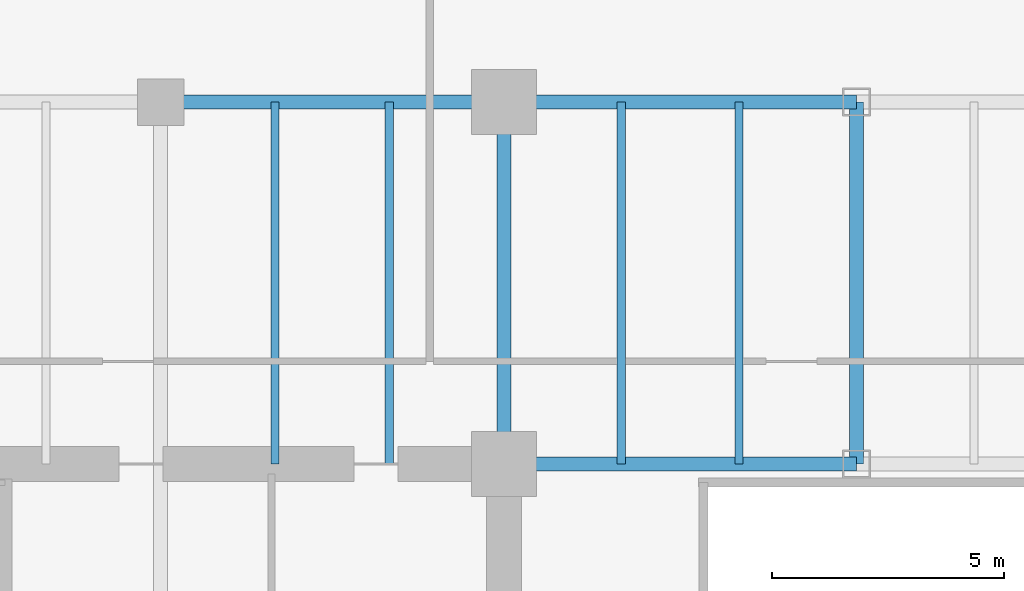
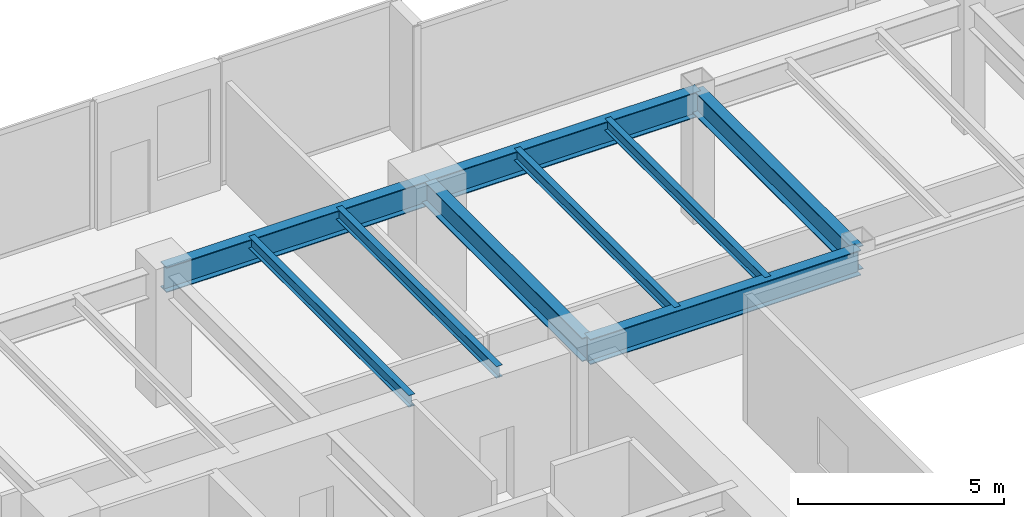
# One storey, part 13 of 36: 9 beams.
"""IFC4 building model written with IfcOpenShell, lengths in metres."""

import ifcopenshell
import ifcopenshell.guid

model = None  # the IFC model being written
_history = None  # IfcOwnerHistory: only IFC2X3 demands one
_inside = {}  # id of a spatial element -> (the spatial element, [elements in it])
_under = {}  # id of a project, library or spatial element -> (it, [spatial elements below it])
_declared = {}  # id of a project -> (the project, [libraries it declares])
_typed = {}  # id of a type object -> (the type object, [elements of that type])
_made_of = {}  # id of a material, layer set ... -> (it, [elements and type objects made of it])


def new_model(schema):
    """Start an empty IFC model of exactly this schema.

    Asked for "IFC4X3", IfcOpenShell would pick the latest addendum, in which some entities
    have other attributes; the version numbers below select the first issue.
    IFC2X3 requires an IfcOwnerHistory on every rooted entity: one is made here for all.
    """
    global model, _history
    if schema == "IFC4X3":
        model = ifcopenshell.file(schema_version=(4, 3, 0, 0))
    else:
        model = ifcopenshell.file(schema=schema)
    _inside.clear()
    _under.clear()
    _declared.clear()
    _typed.clear()
    _made_of.clear()
    _history = None
    if model.schema == "IFC2X3":
        org = make("IfcOrganization", Name="unknown")
        user = make(
            "IfcPersonAndOrganization",
            ThePerson=make("IfcPerson", FamilyName="unknown"),
            TheOrganization=org,
        )
        app = make(
            "IfcApplication",
            ApplicationDeveloper=org,
            Version="unknown",
            ApplicationFullName="unknown",
            ApplicationIdentifier="unknown",
        )
        _history = make(
            "IfcOwnerHistory",
            OwningUser=user,
            OwningApplication=app,
            ChangeAction="ADDED",
            CreationDate=0,
        )
    return model


def make(cls, **values):
    """One entity of the class cls with the attributes given. An attribute that is None is left unset."""
    return model.create_entity(
        cls, **{name: value for name, value in values.items() if value is not None}
    )


def rooted(cls, **values):
    """An entity with a GlobalId (a new one), such as an element, a storey or a relation."""
    return make(cls, GlobalId=ifcopenshell.guid.new(), OwnerHistory=_history, **values)


def si_unit(unit_type, name, prefix=None):
    """IfcSIUnit, for example si_unit("LENGTHUNIT", "METRE", prefix="MILLI")."""
    return make("IfcSIUnit", UnitType=unit_type, Prefix=prefix, Name=name)


def assignment(units):
    """IfcUnitAssignment: the units of a project."""
    return None if units is None else make("IfcUnitAssignment", Units=units)


def point(xyz):
    """IfcCartesianPoint."""
    return None if xyz is None else make("IfcCartesianPoint", Coordinates=xyz)


def direction(xyz):
    """IfcDirection."""
    return None if xyz is None else make("IfcDirection", DirectionRatios=xyz)


def frame(location, z_axis=None, x_axis=None):
    """IfcAxis2Placement3D, a coordinate frame: its origin and axes. An axis left out is left unset."""
    return make(
        "IfcAxis2Placement3D",
        Location=point(location),
        Axis=direction(z_axis),
        RefDirection=direction(x_axis),
    )


def frame_2d(location, x_axis=None):
    """IfcAxis2Placement2D, a coordinate frame in the plane: its origin and x axis."""
    return make(
        "IfcAxis2Placement2D", Location=point(location), RefDirection=direction(x_axis)
    )


def origin():
    """The frame at (0, 0, 0) with its axes left unset."""
    return frame((0.0, 0.0, 0.0))


def origin_2d():
    """The frame at (0, 0) in the plane with its x axis left unset."""
    return frame_2d((0.0, 0.0))


def place(relative_to, where):
    """IfcLocalPlacement: puts the frame where relative to a parent placement (None: the world)."""
    return make(
        "IfcLocalPlacement", PlacementRelTo=relative_to, RelativePlacement=where
    )


def context(
    kind, dimensions, precision=None, world=None, true_north=None, identifier=None
):
    """IfcGeometricRepresentationContext, for example the 3D "Model" context."""
    return make(
        "IfcGeometricRepresentationContext",
        ContextIdentifier=identifier,
        ContextType=kind,
        CoordinateSpaceDimension=dimensions,
        Precision=precision,
        WorldCoordinateSystem=world,
        TrueNorth=true_north,
    )


def subcontext(parent, identifier, kind, view, scale=None):
    """IfcGeometricRepresentationSubContext, for example "Body" below "Model"."""
    return make(
        "IfcGeometricRepresentationSubContext",
        ContextIdentifier=identifier,
        ContextType=kind,
        ParentContext=parent,
        TargetScale=scale,
        TargetView=view,
    )


def project(units=None, contexts=None):
    """IfcProject with its units and contexts."""
    return rooted(
        "IfcProject",
        Name="project",
        RepresentationContexts=contexts,
        UnitsInContext=assignment(units),
    )


def spatial(cls, under=None, at=None, **own):
    """A site, building, storey or space (cls), placed at a placement, below another one or the project."""
    s = rooted(cls, ObjectPlacement=at, **own)
    if under is not None:
        _under.setdefault(under.id(), (under, []))[1].append(s)
    return s


def profile(cls, at=None, kind="AREA", **sizes):
    """A parametric profile (cls). Its sizes go by their IFC names, for example OverallWidth=200.0."""
    return make(cls, ProfileType=kind, Position=at, **sizes)


def i_section(**sizes):
    """IfcIShapeProfileDef."""
    return profile("IfcIShapeProfileDef", **sizes)


def extrude(swept, where, along, depth):
    """IfcExtrudedAreaSolid: the profile swept, set in the frame where, extruded along a direction by depth."""
    return make(
        "IfcExtrudedAreaSolid",
        SweptArea=swept,
        Position=where,
        ExtrudedDirection=direction(along),
        Depth=depth,
    )


def shape(context_of_items, identifier, shape_type, items):
    """IfcShapeRepresentation: the items that make up one representation, for example the "Body"."""
    return make(
        "IfcShapeRepresentation",
        ContextOfItems=context_of_items,
        RepresentationIdentifier=identifier,
        RepresentationType=shape_type,
        Items=items,
    )


def source(mapping_origin, context_of_items, identifier, shape_type, items):
    """IfcRepresentationMap: a shape defined once, which mapped items show again and again."""
    return make(
        "IfcRepresentationMap",
        MappingOrigin=mapping_origin,
        MappedRepresentation=shape(context_of_items, identifier, shape_type, items),
    )


def transform(
    local_origin,
    x_axis=None,
    y_axis=None,
    z_axis=None,
    scale=None,
    scale2=None,
    scale3=None,
    uniform=True,
):
    """IfcCartesianTransformationOperator3D, or its non-uniform kind. x_axis, y_axis, z_axis: its Axis1, 2, 3."""
    if uniform:
        return make(
            "IfcCartesianTransformationOperator3D",
            Axis1=direction(x_axis),
            Axis2=direction(y_axis),
            LocalOrigin=point(local_origin),
            Scale=scale,
            Axis3=direction(z_axis),
        )
    return make(
        "IfcCartesianTransformationOperator3DnonUniform",
        Axis1=direction(x_axis),
        Axis2=direction(y_axis),
        LocalOrigin=point(local_origin),
        Scale=scale,
        Axis3=direction(z_axis),
        Scale2=scale2,
        Scale3=scale3,
    )


def mapped(mapping_source, mapping_target):
    """IfcMappedItem: shows the shape of a source again, moved by a transform."""
    return make(
        "IfcMappedItem", MappingSource=mapping_source, MappingTarget=mapping_target
    )


def material(Name=None, Category=None):
    """IfcMaterial."""
    return make("IfcMaterial", Name=Name, Category=Category)


def material_profile(
    of_material, cross_section, Name=None, Category=None, Priority=None
):
    """IfcMaterialProfile: a cross section and its material."""
    return make(
        "IfcMaterialProfile",
        Name=Name,
        Material=of_material,
        Profile=cross_section,
        Priority=Priority,
        Category=Category,
    )


def profile_set(profiles, Name=None, composite=None):
    """IfcMaterialProfileSet."""
    return make(
        "IfcMaterialProfileSet",
        Name=Name,
        MaterialProfiles=profiles,
        CompositeProfile=composite,
    )


def made_of(thing, what):
    """Note that an element or type object is made of a material, layer set ...; save() writes the relation."""
    if what is not None:
        _made_of.setdefault(what.id(), (what, []))[1].append(thing)
    return thing


def type_object(cls, material=None, **own):
    """A type object (cls), such as IfcWallType, which elements share."""
    return made_of(rooted(cls, **own), material)


def type_shapes(of_type, sources):
    """Give a type object the sources (RepresentationMaps) that its elements show as mapped items."""
    of_type.RepresentationMaps = sources


def element(
    cls,
    number,
    at=None,
    inside=None,
    cuts=None,
    type_object=None,
    material=None,
    context=None,
    identifier="Body",
    shape_type=None,
    held_by="IfcProductDefinitionShape",
    body=None,
    shapes=None,
    **own,
):
    """One element of the class cls, such as IfcWall. Its Tag is "e" and its number.

    at: its placement. inside: the storey or other place that contains it. cuts: it is an
    opening in that element (IfcRelVoidsElement). A single representation is given by context,
    identifier, shape_type and body (its items); several are given by shapes. held_by: the class
    of the entity that holds the representations. save() writes the other relations.
    """
    e = rooted(cls, Tag="e%d" % number, ObjectPlacement=at, **own)
    if body is not None:
        shapes = [shape(context, identifier, shape_type, body)]
    if shapes is not None:
        e.Representation = make(held_by, Representations=shapes)
    if inside is not None:
        _inside.setdefault(inside.id(), (inside, []))[1].append(e)
    if cuts is not None:
        rooted(
            "IfcRelVoidsElement", RelatingBuildingElement=cuts, RelatedOpeningElement=e
        )
    if type_object is not None:
        _typed.setdefault(type_object.id(), (type_object, []))[1].append(e)
    return made_of(e, material)


def aggregate(whole, parts):
    """IfcRelAggregates: a whole, such as a stair, and the parts it consists of."""
    return rooted("IfcRelAggregates", RelatingObject=whole, RelatedObjects=parts)


def save(model, path):
    """Write the relations noted so far, then the file.

    IfcRelAggregates (storeys below a building ...), IfcRelContainedInSpatialStructure (elements
    in a storey), IfcRelDefinesByType, IfcRelAssociatesMaterial and IfcRelDeclares: one each for
    every whole, place, type object, material and project.
    """
    for whole, parts in _under.values():
        aggregate(whole, parts)
    for where, things in _inside.values():
        rooted(
            "IfcRelContainedInSpatialStructure",
            RelatedElements=things,
            RelatingStructure=where,
        )
    for kind, things in _typed.values():
        rooted("IfcRelDefinesByType", RelatedObjects=things, RelatingType=kind)
    for what, things in _made_of.values():
        rooted("IfcRelAssociatesMaterial", RelatedObjects=things, RelatingMaterial=what)
    for by, libraries in _declared.values():
        rooted("IfcRelDeclares", RelatingContext=by, RelatedDefinitions=libraries)
    model.write(path)


model = new_model("IFC4")

# Units and contexts
model_context = context("Model", 3, precision=1e-05, world=origin(), true_north=direction((0.0, 1.0)))
body_context = subcontext(model_context, "Body", "Model", "MODEL_VIEW")
ifc_project = project(units=[si_unit("LENGTHUNIT", "METRE"), si_unit("AREAUNIT", "SQUARE_METRE"), si_unit("VOLUMEUNIT", "CUBIC_METRE"), si_unit("PLANEANGLEUNIT", "RADIAN"), si_unit("MASSUNIT", "GRAM", prefix="KILO")], contexts=[model_context])

# Site, building, storey
site_placement = place(None, origin())
site = spatial("IfcSite", under=ifc_project, at=site_placement, CompositionType="ELEMENT")
building_placement = place(site_placement, origin())
building = spatial("IfcBuilding", under=site, at=building_placement, Name="Haelvirn Gate Laboratories", CompositionType="ELEMENT")
storey_placement = place(building_placement, frame((0.0, 0.0, 25.199951171875)))
storey = spatial("IfcBuildingStorey", under=building, at=storey_placement, Name="L06", CompositionType="ELEMENT", Elevation=25.199951171875)

# Beams
ifc_material = material(Name="Steel SM355", Category="steel")
ifc_material_profile_1 = material_profile(ifc_material, i_section(OverallWidth=0.300048828125, OverallDepth=0.699951171875, WebThickness=0.012939453125, FlangeThickness=0.02392578125, at=origin_2d()), Name="H-700x300x13x24")
ifc_profile_set_1 = profile_set([ifc_material_profile_1], Name="Steel SM355")
beam_type_1 = type_object("IfcBeamType", Name="BM-G-700", PredefinedType="BEAM", material=ifc_profile_set_1)
shared_shape_1 = source(origin(), body_context, "Body", "SweptSolid", [
    extrude(i_section(OverallWidth=0.300048828125, OverallDepth=0.699951171875, WebThickness=0.012939453125, FlangeThickness=0.02392578125, at=origin_2d()), origin(), (0.0, 0.0, 1.0), 7.800048828125),
])
type_shapes(beam_type_1, [shared_shape_1])
for number, where, z_axis, x_axis, name in (
    (1, (22.199951171875, 33.800048828125, 3.429931640625), (0.0, 1.0, 0.0), (-1.0, 0.0, 0.0), "L06 Frame Girder X22.2 (33.8-41.6)"),
    (2, (29.800048828125, 33.800048828125, 3.429931640625), (0.0, 1.0, 0.0), (-1.0, 0.0, 0.0), "L06 Frame Girder X29.8 (33.8-41.6)"),
):
    element("IfcBeam", number, at=place(storey_placement, frame(where, z_axis=z_axis, x_axis=x_axis)), inside=storey, type_object=beam_type_1, Name=name, PredefinedType="BEAM", context=body_context, shape_type="MappedRepresentation", body=[
        mapped(shared_shape_1, transform((0.0, 0.0, 0.0), scale=1.0)),
    ])
ifc_material_profile_2 = material_profile(ifc_material, i_section(OverallWidth=0.300048828125, OverallDepth=0.75, WebThickness=0.013916015625, FlangeThickness=0.02392578125, at=origin_2d()), Name="H-750x300x14x24")
ifc_profile_set_2 = profile_set([ifc_material_profile_2], Name="Steel SM355")
beam_type_2 = type_object("IfcBeamType", Name="BM-G-750", PredefinedType="BEAM", material=ifc_profile_set_2)
shared_shape_2 = source(origin(), body_context, "Body", "SweptSolid", [
    extrude(i_section(OverallWidth=0.300048828125, OverallDepth=0.75, WebThickness=0.013916015625, FlangeThickness=0.02392578125, at=origin_2d()), origin(), (0.0, 0.0, 1.0), 7.39990234375),
])
beam_placement = place(storey_placement, frame((14.800048828125, 41.60009765625, 3.405029296875), z_axis=(1.0, 0.0, 0.0), x_axis=(0.0, 1.0, 0.0)))
element("IfcBeam", 3, at=beam_placement, inside=storey, type_object=beam_type_2, Name="L06 Primary Girder Y41.6 (14.8-22.2)", PredefinedType="BEAM", context=body_context, shape_type="MappedRepresentation", body=[
    mapped(shared_shape_2, transform((0.0, 0.0, 0.0), scale=1.0)),
])
shared_shape_3 = source(origin(), body_context, "Body", "SweptSolid", [
    extrude(i_section(OverallWidth=0.300048828125, OverallDepth=0.75, WebThickness=0.013916015625, FlangeThickness=0.02392578125, at=origin_2d()), origin(), (0.0, 0.0, 1.0), 7.60009765625),
])
type_shapes(beam_type_2, [shared_shape_2, shared_shape_3])
for number, where, z_axis, x_axis, name in (
    (4, (22.199951171875, 33.800048828125, 3.405029296875), (1.0, 0.0, 0.0), (0.0, 1.0, 0.0), "L06 Primary Girder Y33.8 (22.2-29.8)"),
    (5, (22.199951171875, 41.60009765625, 3.405029296875), (1.0, 0.0, 0.0), (0.0, 1.0, 0.0), "L06 Primary Girder Y41.6 (22.2-29.8)"),
):
    element("IfcBeam", number, at=place(storey_placement, frame(where, z_axis=z_axis, x_axis=x_axis)), inside=storey, type_object=beam_type_2, Name=name, PredefinedType="BEAM", context=body_context, shape_type="MappedRepresentation", body=[
        mapped(shared_shape_3, transform((0.0, 0.0, 0.0), scale=1.0)),
    ])
ifc_material_profile_3 = material_profile(ifc_material, i_section(OverallWidth=0.175048828125, OverallDepth=0.35009765625, WebThickness=0.007080078125, FlangeThickness=0.010986328125, at=origin_2d()), Name="H-350x175x7x11")
ifc_profile_set_3 = profile_set([ifc_material_profile_3], Name="Steel SM355")
beam_type_3 = type_object("IfcBeamType", Name="BM-J-350", PredefinedType="JOIST", material=ifc_profile_set_3)
shared_shape_4 = source(origin(), body_context, "Body", "SweptSolid", [
    extrude(i_section(OverallWidth=0.175048828125, OverallDepth=0.35009765625, WebThickness=0.007080078125, FlangeThickness=0.010986328125, at=origin_2d()), origin(), (0.0, 0.0, 1.0), 7.800048828125),
])
type_shapes(beam_type_3, [shared_shape_4])
for number, where, z_axis, x_axis, name in (
    (6, (17.27001953125, 33.800048828125, 3.60498046875), (0.0, 1.0, 0.0), (-1.0, 0.0, 0.0), "L06 Composite Lab Joist North X17.27"),
    (7, (19.72998046875, 33.800048828125, 3.60498046875), (0.0, 1.0, 0.0), (-1.0, 0.0, 0.0), "L06 Composite Lab Joist North X19.73"),
    (8, (24.72998046875, 33.800048828125, 3.60498046875), (0.0, 1.0, 0.0), (-1.0, 0.0, 0.0), "L06 Composite Lab Joist North X24.73"),
    (9, (27.27001953125, 33.800048828125, 3.60498046875), (0.0, 1.0, 0.0), (-1.0, 0.0, 0.0), "L06 Composite Lab Joist North X27.27"),
):
    element("IfcBeam", number, at=place(storey_placement, frame(where, z_axis=z_axis, x_axis=x_axis)), inside=storey, type_object=beam_type_3, Name=name, PredefinedType="JOIST", context=body_context, shape_type="MappedRepresentation", body=[
        mapped(shared_shape_4, transform((0.0, 0.0, 0.0), scale=1.0)),
    ])

save(model, "model.ifc")
